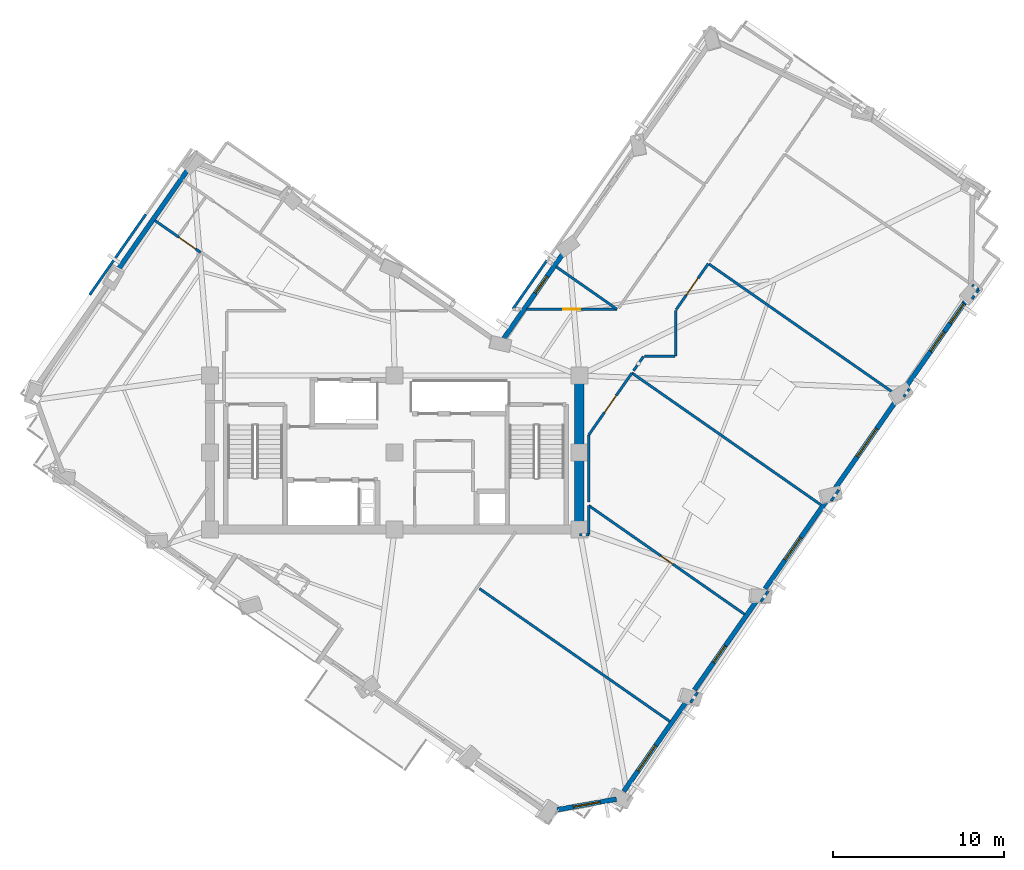
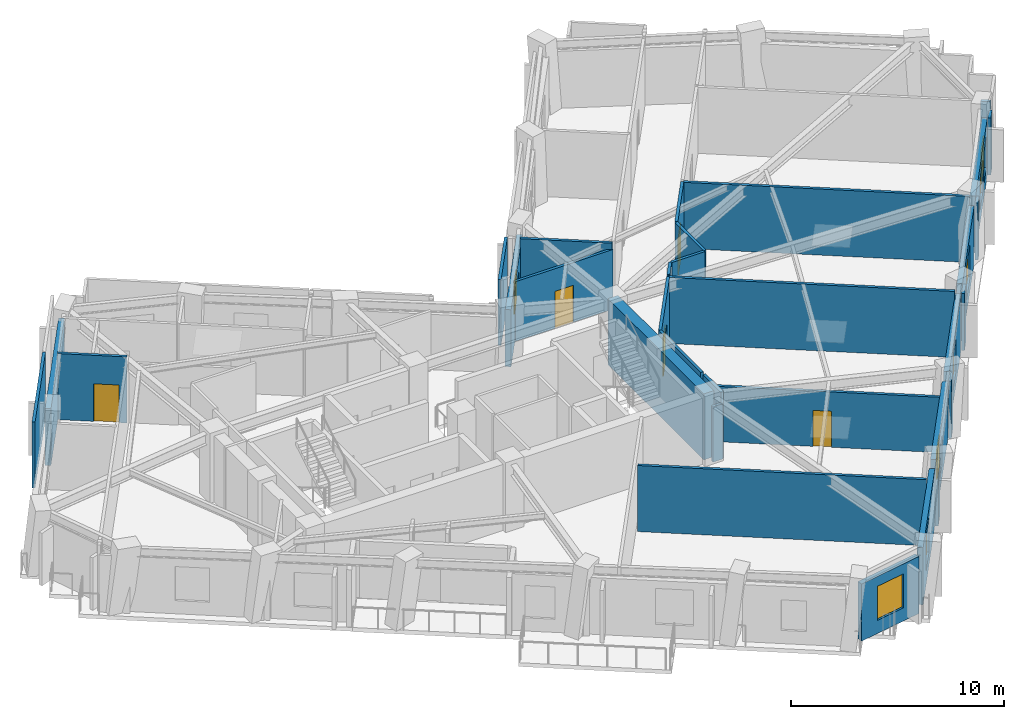
# One storey, part 5 of 12: 32 walls, 8 windows, 5 doors, 13 openings.
"""IFC4 building model written with IfcOpenShell, lengths in metres."""

from ifc_helpers import new_model, si_unit, direction, frame, frame_2d, origin, place, context, subcontext, project, spatial, rectangle, extrude, material, layer, layer_set, type_object, element, fill, save


model = new_model("IFC4")

# Units and contexts
model_context = context("Model", 3, precision=1e-05, world=origin(), true_north=direction((0.0, 1.0)))
body_context = subcontext(model_context, "Body", "Model", "MODEL_VIEW")
ifc_project = project(units=[si_unit("LENGTHUNIT", "METRE"), si_unit("AREAUNIT", "SQUARE_METRE"), si_unit("VOLUMEUNIT", "CUBIC_METRE"), si_unit("PLANEANGLEUNIT", "RADIAN"), si_unit("MASSUNIT", "GRAM", prefix="KILO")], contexts=[model_context])

# Site, building, storey
site_placement = place(None, origin())
site = spatial("IfcSite", under=ifc_project, at=site_placement, CompositionType="ELEMENT")
building_placement = place(site_placement, origin())
building = spatial("IfcBuilding", under=site, at=building_placement, Name="Gaonmaruhae Medical Tower", CompositionType="ELEMENT")
storey_placement = place(building_placement, frame((0.0, 0.0, 259.199951171875)))
storey = spatial("IfcBuildingStorey", under=building, at=storey_placement, Name="L62", CompositionType="ELEMENT", Elevation=259.199951171875)

# Wall
ifc_material_1 = material(Name="Concrete C50/60", Category="concrete")
ifc_layer_1 = layer(ifc_material_1, 0.550048828125)
ifc_layer_set_1 = layer_set([ifc_layer_1], Name="Concrete C50/60")
wall_type_1 = type_object("IfcWallType", Name="CW-550 Mid-High Core Shear Wall", PredefinedType="SHEAR", material=ifc_layer_set_1)
wall_1_placement = place(storey_placement, frame((35.60009765625, 7.800048828125, 0.0), z_axis=(0.0, 0.0, 1.0), x_axis=(0.0, 1.0, 0.0)))
element("IfcWall", 1, at=wall_1_placement, inside=storey, type_object=wall_type_1, Name="L62 Core Shear Wall CSW-E1", PredefinedType="SHEAR", context=body_context, shape_type="SweptSolid", body=[
    extrude(rectangle(XDim=9.0, YDim=0.550048828125, at=frame_2d((4.5, 0.0))), origin(), (0.0, 0.0, 1.0), 3.780029296875),
])

# Wall, opening, window
ifc_material_2 = material(Name="Precast concrete C45/55", Category="concrete")
ifc_layer_2 = layer(ifc_material_2, 0.280029296875)
ifc_layer_set_2 = layer_set([ifc_layer_2], Name="Precast concrete C45/55")
wall_type_2 = type_object("IfcWallType", Name="EW-280 Upper Precast Masonry-Frame Facade Wall", PredefinedType="SOLIDWALL", material=ifc_layer_set_2)
wall_2_placement = place(storey_placement, frame((41.90087890625, -2.189453125, 0.0), z_axis=(0.0, 0.0, 1.0), x_axis=(-0.572127414025, -0.820164753035, 0.0)))
wall_2 = element("IfcWall", 2, at=wall_2_placement, inside=storey, type_object=wall_type_2, Name="L62 Precast Masonry-Frame Wall S01-S02", PredefinedType="SOLIDWALL", context=body_context, shape_type="SweptSolid", body=[
    extrude(rectangle(XDim=6.484619140625, YDim=0.280029296875, at=frame_2d((3.2421875, 0.0))), origin(), (0.0, 0.0, 1.0), 3.26513671875),
])
opening_1_placement = place(wall_2_placement, frame((3.226318359375, 0.0, 0.75)))
opening_1 = element("IfcOpeningElement", 3, at=opening_1_placement, cuts=wall_2, Name="Opening WN-04", PredefinedType="OPENING", context=body_context, shape_type="SweptSolid", body=[
    extrude(rectangle(XDim=1.800048828125, YDim=2.050048828125, at=frame_2d((0.89990234375, 1.02490234375))), frame((0.0, 0.14990234375, 0.0), z_axis=(0.0, -1.0, 0.0), x_axis=(1.0, 0.0, 0.0)), (0.0, 0.0, 1.0), 0.300048828125),
])
ifc_material_3 = material(Name="Anodised aluminium and Low-E double glazing", Category="aluminium")
window_type_1 = type_object("IfcWindowType", Name="WN-04 Clinic & Consult Punched Window 1800x2050", PartitioningType="SINGLE_PANEL", PredefinedType="WINDOW", material=ifc_material_3)
window_1_placement = place(opening_1_placement, origin())
window_1 = element("IfcWindow", 4, at=window_1_placement, inside=storey, type_object=window_type_1, Name="L62 Modular Facade Window S01", OverallHeight=2.050048828125, OverallWidth=1.800048828125, PartitioningType="SINGLE_PANEL", PredefinedType="WINDOW", context=body_context, shape_type="SweptSolid", body=[
    extrude(rectangle(XDim=1.800048828125, YDim=2.050048828125, at=frame_2d((0.89990234375, 1.02490234375))), frame((0.0, 0.030029296875, 0.0), z_axis=(0.0, -1.0, 0.0), x_axis=(1.0, 0.0, 0.0)), (0.0, 0.0, 1.0), 0.06005859375),
])
fill(opening_1, window_1)

wall_3_placement = place(storey_placement, frame((46.01025390625, 3.700927734375, 0.0), z_axis=(0.0, 0.0, 1.0), x_axis=(-0.572138298293, -0.820157160321, 0.0)))
wall_3 = element("IfcWall", 5, at=wall_3_placement, inside=storey, type_object=wall_type_2, Name="L62 Precast Masonry-Frame Wall S02-S03", PredefinedType="SOLIDWALL", context=body_context, shape_type="SweptSolid", body=[
    extrude(rectangle(XDim=6.438720703125, YDim=0.280029296875, at=frame_2d((3.21923828125, 0.0))), origin(), (0.0, 0.0, 1.0), 3.26513671875),
])
opening_2_placement = place(wall_3_placement, frame((3.28271484375, 0.0, 0.75)))
opening_2 = element("IfcOpeningElement", 6, at=opening_2_placement, cuts=wall_3, Name="Opening WN-05", PredefinedType="OPENING", context=body_context, shape_type="SweptSolid", body=[
    extrude(rectangle(XDim=1.199951171875, YDim=1.75, at=frame_2d((0.60009765625, 0.875))), frame((0.0, 0.14990234375, 0.0), z_axis=(0.0, -1.0, 0.0), x_axis=(1.0, 0.0, 0.0)), (0.0, 0.0, 1.0), 0.300048828125),
])
window_type_2 = type_object("IfcWindowType", Name="WN-05 Support & Staff Punched Window 1200x1750", PartitioningType="SINGLE_PANEL", PredefinedType="WINDOW", material=ifc_material_3)
window_2_placement = place(opening_2_placement, origin())
window_2 = element("IfcWindow", 7, at=window_2_placement, inside=storey, type_object=window_type_2, Name="L62 Modular Facade Window S02", OverallHeight=1.75, OverallWidth=1.199951171875, PartitioningType="SINGLE_PANEL", PredefinedType="WINDOW", context=body_context, shape_type="SweptSolid", body=[
    extrude(rectangle(XDim=1.199951171875, YDim=1.75, at=frame_2d((0.60009765625, 0.875))), frame((0.0, 0.030029296875, 0.0), z_axis=(0.0, -1.0, 0.0), x_axis=(1.0, 0.0, 0.0)), (0.0, 0.0, 1.0), 0.06005859375),
])
fill(opening_2, window_2)

wall_4_placement = place(storey_placement, frame((50.125, 9.59912109375, 0.0), z_axis=(0.0, 0.0, 1.0), x_axis=(-0.572145868794, -0.820151879119, 0.0)))
wall_4 = element("IfcWall", 8, at=wall_4_placement, inside=storey, type_object=wall_type_2, Name="L62 Precast Masonry-Frame Wall S03-S04", PredefinedType="SOLIDWALL", context=body_context, shape_type="SweptSolid", body=[
    extrude(rectangle(XDim=6.41357421875, YDim=0.280029296875, at=frame_2d((3.206787109375, 0.0))), origin(), (0.0, 0.0, 1.0), 3.26513671875),
])
opening_3_placement = place(wall_4_placement, frame((2.770751953125, 0.0, 0.75)))
opening_3 = element("IfcOpeningElement", 9, at=opening_3_placement, cuts=wall_4, Name="Opening WN-01", PredefinedType="OPENING", context=body_context, shape_type="SweptSolid", body=[
    extrude(rectangle(XDim=1.60009765625, YDim=1.949951171875, at=frame_2d((0.800048828125, 0.97509765625))), frame((0.0, 0.14990234375, 0.0), z_axis=(0.0, -1.0, 0.0), x_axis=(1.0, 0.0, 0.0)), (0.0, 0.0, 1.0), 0.300048828125),
])
window_type_3 = type_object("IfcWindowType", Name="WN-01 Ward Punched Acoustic Window 1600x1950", PartitioningType="SINGLE_PANEL", PredefinedType="WINDOW", material=ifc_material_3)
window_3_placement = place(opening_3_placement, origin())
window_3 = element("IfcWindow", 10, at=window_3_placement, inside=storey, type_object=window_type_3, Name="L62 Modular Facade Window S03", OverallHeight=1.949951171875, OverallWidth=1.60009765625, PartitioningType="SINGLE_PANEL", PredefinedType="WINDOW", context=body_context, shape_type="SweptSolid", body=[
    extrude(rectangle(XDim=1.60009765625, YDim=1.949951171875, at=frame_2d((0.800048828125, 0.97509765625))), frame((0.0, 0.030029296875, 0.0), z_axis=(0.0, -1.0, 0.0), x_axis=(1.0, 0.0, 0.0)), (0.0, 0.0, 1.0), 0.06005859375),
])
fill(opening_3, window_3)

wall_5_placement = place(storey_placement, frame((54.244873046875, 15.5048828125, 0.0), z_axis=(0.0, 0.0, 1.0), x_axis=(-0.572154773517, -0.820145667026, 0.0)))
wall_5 = element("IfcWall", 11, at=wall_5_placement, inside=storey, type_object=wall_type_2, Name="L62 Precast Masonry-Frame Wall S04-S05", PredefinedType="SOLIDWALL", context=body_context, shape_type="SweptSolid", body=[
    extrude(rectangle(XDim=6.406982421875, YDim=0.280029296875, at=frame_2d((3.20361328125, 0.0))), origin(), (0.0, 0.0, 1.0), 3.26513671875),
])
opening_4_placement = place(wall_5_placement, frame((2.203857421875, 0.0, 0.75)))
opening_4 = element("IfcOpeningElement", 12, at=opening_4_placement, cuts=wall_5, Name="Opening WN-02", PredefinedType="OPENING", context=body_context, shape_type="SweptSolid", body=[
    extrude(rectangle(XDim=2.0, YDim=1.949951171875, at=frame_2d((1.0, 0.97509765625))), frame((0.0, 0.14990234375, 0.0), z_axis=(0.0, -1.0, 0.0), x_axis=(1.0, 0.0, 0.0)), (0.0, 0.0, 1.0), 0.300048828125),
])
window_type_4 = type_object("IfcWindowType", Name="WN-02 Double-Bed Ward Punched Window 2000x1950", PartitioningType="SINGLE_PANEL", PredefinedType="WINDOW", material=ifc_material_3)
window_4_placement = place(opening_4_placement, origin())
window_4 = element("IfcWindow", 13, at=window_4_placement, inside=storey, type_object=window_type_4, Name="L62 Modular Facade Window S04", OverallHeight=1.949951171875, OverallWidth=2.0, PartitioningType="SINGLE_PANEL", PredefinedType="WINDOW", context=body_context, shape_type="SweptSolid", body=[
    extrude(rectangle(XDim=2.0, YDim=1.949951171875, at=frame_2d((1.0, 0.97509765625))), frame((0.0, 0.030029296875, 0.0), z_axis=(0.0, -1.0, 0.0), x_axis=(1.0, 0.0, 0.0)), (0.0, 0.0, 1.0), 0.06005859375),
])
fill(opening_4, window_4)

# Wall, openings, windows
wall_6_placement = place(storey_placement, frame((58.369873046875, 21.418212890625, 0.0), z_axis=(0.0, 0.0, 1.0), x_axis=(-0.572149467016, -0.820149368953, 0.0)))
wall_6 = element("IfcWall", 14, at=wall_6_placement, inside=storey, type_object=wall_type_2, Name="L62 Precast Masonry-Frame Wall S05-S06", PredefinedType="SOLIDWALL", context=body_context, shape_type="SweptSolid", body=[
    extrude(rectangle(XDim=6.41845703125, YDim=0.280029296875, at=frame_2d((3.209228515625, 0.0))), origin(), (0.0, 0.0, 1.0), 3.26513671875),
])
opening_5_placement = place(wall_6_placement, frame((2.51220703125, 0.0, 0.75)))
opening_5 = element("IfcOpeningElement", 15, at=opening_5_placement, cuts=wall_6, Name="Opening WN-03", PredefinedType="OPENING", context=body_context, shape_type="SweptSolid", body=[
    extrude(rectangle(XDim=1.39990234375, YDim=1.85009765625, at=frame_2d((0.699951171875, 0.925048828125))), frame((0.0, 0.14990234375, 0.0), z_axis=(0.0, -1.0, 0.0), x_axis=(1.0, 0.0, 0.0)), (0.0, 0.0, 1.0), 0.300048828125),
])
opening_6_placement = place(wall_6_placement, frame((0.494384765625, 0.0, 0.75)))
opening_6 = element("IfcOpeningElement", 16, at=opening_6_placement, cuts=wall_6, Name="Opening WN-03", PredefinedType="OPENING", context=body_context, shape_type="SweptSolid", body=[
    extrude(rectangle(XDim=1.39990234375, YDim=1.85009765625, at=frame_2d((0.699951171875, 0.925048828125))), frame((0.0, 0.14990234375, 0.0), z_axis=(0.0, -1.0, 0.0), x_axis=(1.0, 0.0, 0.0)), (0.0, 0.0, 1.0), 0.300048828125),
])
window_type_5 = type_object("IfcWindowType", Name="WN-03 Isolation Ward Punched Window 1400x1850", PartitioningType="SINGLE_PANEL", PredefinedType="WINDOW", material=ifc_material_3)
window_5_placement = place(opening_5_placement, origin())
window_5 = element("IfcWindow", 17, at=window_5_placement, inside=storey, type_object=window_type_5, Name="L62 Modular Facade Window S05", OverallHeight=1.85009765625, OverallWidth=1.39990234375, PartitioningType="SINGLE_PANEL", PredefinedType="WINDOW", context=body_context, shape_type="SweptSolid", body=[
    extrude(rectangle(XDim=1.39990234375, YDim=1.85009765625, at=frame_2d((0.699951171875, 0.925048828125))), frame((0.0, 0.030029296875, 0.0), z_axis=(0.0, -1.0, 0.0), x_axis=(1.0, 0.0, 0.0)), (0.0, 0.0, 1.0), 0.06005859375),
])
fill(opening_5, window_5)
window_6_placement = place(opening_6_placement, origin())
window_6 = element("IfcWindow", 18, at=window_6_placement, inside=storey, type_object=window_type_5, Name="L62 Modular Facade Window S05B", OverallHeight=1.85009765625, OverallWidth=1.39990234375, PartitioningType="SINGLE_PANEL", PredefinedType="WINDOW", context=body_context, shape_type="SweptSolid", body=[
    extrude(rectangle(XDim=1.39990234375, YDim=1.85009765625, at=frame_2d((0.699951171875, 0.925048828125))), frame((0.0, 0.030029296875, 0.0), z_axis=(0.0, -1.0, 0.0), x_axis=(1.0, 0.0, 0.0)), (0.0, 0.0, 1.0), 0.06005859375),
])
fill(opening_6, window_6)

# Wall, opening, window
wall_7_placement = place(storey_placement, frame((31.191650390625, 18.98828125, 0.0), z_axis=(0.0, 0.0, 1.0), x_axis=(0.572160511302, 0.82014166417, 0.0)))
wall_7 = element("IfcWall", 19, at=wall_7_placement, inside=storey, type_object=wall_type_2, Name="L62 Precast Masonry-Frame Wall EN02-KN01", PredefinedType="SOLIDWALL", context=body_context, shape_type="SweptSolid", body=[
    extrude(rectangle(XDim=6.158203125, YDim=0.280029296875, at=frame_2d((3.0791015625, 0.0))), origin(), (0.0, 0.0, 1.0), 3.26513671875),
])
opening_7_placement = place(wall_7_placement, frame((3.20751953125, 0.0, 0.75)))
opening_7 = element("IfcOpeningElement", 20, at=opening_7_placement, cuts=wall_7, Name="Opening WN-05", PredefinedType="OPENING", context=body_context, shape_type="SweptSolid", body=[
    extrude(rectangle(XDim=1.199951171875, YDim=1.75, at=frame_2d((0.60009765625, 0.875))), frame((0.0, 0.14990234375, 0.0), z_axis=(0.0, -1.0, 0.0), x_axis=(1.0, 0.0, 0.0)), (0.0, 0.0, 1.0), 0.300048828125),
])
window_7_placement = place(opening_7_placement, origin())
window_7 = element("IfcWindow", 21, at=window_7_placement, inside=storey, type_object=window_type_2, Name="L62 Modular Facade Window EN02", OverallHeight=1.75, OverallWidth=1.199951171875, PartitioningType="SINGLE_PANEL", PredefinedType="WINDOW", context=body_context, shape_type="SweptSolid", body=[
    extrude(rectangle(XDim=1.199951171875, YDim=1.75, at=frame_2d((0.60009765625, 0.875))), frame((0.0, 0.030029296875, 0.0), z_axis=(0.0, -1.0, 0.0), x_axis=(1.0, 0.0, 0.0)), (0.0, 0.0, 1.0), 0.06005859375),
])
fill(opening_7, window_7)

# Wall
wall_8_placement = place(storey_placement, frame((8.472900390625, 22.77587890625, 0.0), z_axis=(0.0, 0.0, 1.0), x_axis=(0.572143582382, 0.820153474137, 0.0)))
element("IfcWall", 22, at=wall_8_placement, inside=storey, type_object=wall_type_2, Name="L62 Precast Masonry-Frame Wall N01-N02", PredefinedType="SOLIDWALL", context=body_context, shape_type="SweptSolid", body=[
    extrude(rectangle(XDim=7.43408203125, YDim=0.280029296875, at=frame_2d((3.717041015625, 0.0))), origin(), (0.0, 0.0, 1.0), 3.26513671875),
])

# Wall, opening, window
wall_9_placement = place(storey_placement, frame((37.76611328125, -7.963623046875, 0.0), z_axis=(0.0, 0.0, 1.0), x_axis=(-0.98450376651, -0.175363433266, 0.0)))
wall_9 = element("IfcWall", 23, at=wall_9_placement, inside=storey, type_object=wall_type_2, Name="L62 Precast Masonry-Frame Wall W06-S01", PredefinedType="SOLIDWALL", context=body_context, shape_type="SweptSolid", body=[
    extrude(rectangle(XDim=3.520751953125, YDim=0.280029296875, at=frame_2d((1.76025390625, 0.0))), origin(), (0.0, 0.0, 1.0), 3.26513671875),
])
opening_8_placement = place(wall_9_placement, frame((0.959716796875, 0.0, 0.75)))
opening_8 = element("IfcOpeningElement", 24, at=opening_8_placement, cuts=wall_9, Name="Opening WN-01", PredefinedType="OPENING", context=body_context, shape_type="SweptSolid", body=[
    extrude(rectangle(XDim=1.60009765625, YDim=1.949951171875, at=frame_2d((0.800048828125, 0.97509765625))), frame((0.0, 0.14990234375, 0.0), z_axis=(0.0, -1.0, 0.0), x_axis=(1.0, 0.0, 0.0)), (0.0, 0.0, 1.0), 0.300048828125),
])
window_8_placement = place(opening_8_placement, origin())
window_8 = element("IfcWindow", 25, at=window_8_placement, inside=storey, type_object=window_type_3, Name="L62 Modular Facade Window W06", OverallHeight=1.949951171875, OverallWidth=1.60009765625, PartitioningType="SINGLE_PANEL", PredefinedType="WINDOW", context=body_context, shape_type="SweptSolid", body=[
    extrude(rectangle(XDim=1.60009765625, YDim=1.949951171875, at=frame_2d((0.800048828125, 0.97509765625))), frame((0.0, 0.030029296875, 0.0), z_axis=(0.0, -1.0, 0.0), x_axis=(1.0, 0.0, 0.0)), (0.0, 0.0, 1.0), 0.06005859375),
])
fill(opening_8, window_8)

# Wall, opening, door
ifc_material_4 = material(Name="Gypsum board partition", Category="gypsum")
ifc_layer_3 = layer(ifc_material_4, 0.14990234375)
ifc_layer_set_3 = layer_set([ifc_layer_3], Name="Gypsum board partition")
wall_type_3 = type_object("IfcWallType", Name="PW-150 Rated Clinical Corridor Partition", PredefinedType="PARTITIONING", material=ifc_layer_set_3)
wall_10_placement = place(storey_placement, frame((36.14990234375, 9.199951171875, 0.0), z_axis=(0.0, 0.0, 1.0), x_axis=(0.820183982528, -0.572099846883, 0.0)))
wall_10 = element("IfcWall", 26, at=wall_10_placement, inside=storey, type_object=wall_type_3, Name="L62 Interior Partition L62-SUP02-7", PredefinedType="PARTITIONING", context=body_context, shape_type="SweptSolid", body=[
    extrude(rectangle(XDim=11.118408203125, YDim=0.14990234375, at=frame_2d((5.55908203125, 0.0))), origin(), (0.0, 0.0, 1.0), 3.1650390625),
])
opening_9_placement = place(wall_10_placement, frame((5.129150390625, 0.0, 0.0)))
opening_9 = element("IfcOpeningElement", 27, at=opening_9_placement, cuts=wall_10, Name="Opening AD-01", PredefinedType="OPENING", context=body_context, shape_type="SweptSolid", body=[
    extrude(rectangle(XDim=0.860107421875, YDim=2.06005859375, at=frame_2d((0.43017578125, 1.030029296875))), frame((0.0, 0.0849609375, 0.0), z_axis=(0.0, -1.0, 0.0), x_axis=(1.0, 0.0, 0.0)), (0.0, 0.0, 1.0), 0.169921875),
])
ifc_material_5 = material(Name="Powder-coated steel access door", Category="steel")
door_type_1 = type_object("IfcDoorType", Name="AD-01 Riser & Closet Access Fire Door 860x2060", OperationType="NOTDEFINED", PredefinedType="DOOR", material=ifc_material_5)
door_1_placement = place(opening_9_placement, origin())
door_1 = element("IfcDoor", 28, at=door_1_placement, inside=storey, type_object=door_type_1, Name="L62 Clinical Biomedical Charting Office Sliding Door", OperationType="SLIDING_TO_LEFT", OverallHeight=2.06005859375, OverallWidth=0.860107421875, PredefinedType="DOOR", context=body_context, shape_type="SweptSolid", body=[
    extrude(rectangle(XDim=0.860107421875, YDim=2.06005859375, at=frame_2d((0.43017578125, 1.030029296875))), frame((0.0, 0.02490234375, 0.0), z_axis=(0.0, -1.0, 0.0), x_axis=(1.0, 0.0, 0.0)), (0.0, 0.0, 1.0), 0.050048828125),
])
fill(opening_9, door_1)

# Walls
wall_11_placement = place(storey_placement, frame((42.514892578125, -1.7119140625, 0.0), z_axis=(0.0, 0.0, 1.0), x_axis=(-0.572027315542, -0.820234570275, 0.0)))
element("IfcWall", 29, at=wall_11_placement, inside=storey, type_object=wall_type_3, Name="L62 Interior Partition L62-SUP02-8", PredefinedType="PARTITIONING", context=body_context, shape_type="SweptSolid", body=[
    extrude(rectangle(XDim=0.74267578125, YDim=0.14990234375, at=frame_2d((0.371337890625, 0.0))), origin(), (0.0, 0.0, 1.0), 3.26513671875),
])
wall_12_placement = place(storey_placement, frame((40.89794921875, -3.426025390625, 0.0), z_axis=(0.0, 0.0, 1.0), x_axis=(-0.820175590709, 0.572111877525, 0.0)))
element("IfcWall", 30, at=wall_12_placement, inside=storey, type_object=wall_type_3, Name="L62 Interior Partition L62-SUP02-9", PredefinedType="PARTITIONING", context=body_context, shape_type="SweptSolid", body=[
    extrude(rectangle(XDim=13.584716796875, YDim=0.14990234375, at=frame_2d((6.79248046875, 0.0))), origin(), (0.0, 0.0, 1.0), 3.780029296875),
])
wall_13_placement = place(storey_placement, frame((35.60009765625, 7.5, 0.0), z_axis=(0.0, 0.0, 1.0), x_axis=(1.0, 0.0, 0.0)))
element("IfcWall", 31, at=wall_13_placement, inside=storey, type_object=wall_type_3, Name="L62 Interior Partition L62-SUP02-11", PredefinedType="PARTITIONING", context=body_context, shape_type="SweptSolid", body=[
    extrude(rectangle(XDim=0.5498046875, YDim=0.14990234375, at=frame_2d((0.27490234375, 0.0))), origin(), (0.0, 0.0, 1.0), 3.1650390625),
])
wall_14_placement = place(storey_placement, frame((36.14990234375, 7.5, 0.0), z_axis=(0.0, 0.0, 1.0), x_axis=(0.0, 1.0, 0.0)))
element("IfcWall", 32, at=wall_14_placement, inside=storey, type_object=wall_type_3, Name="L62 Interior Partition L62-SUP02-12", PredefinedType="PARTITIONING", context=body_context, shape_type="SweptSolid", body=[
    extrude(rectangle(XDim=1.699951171875, YDim=0.14990234375, at=frame_2d((0.85009765625, 0.0))), origin(), (0.0, 0.0, 1.0), 3.780029296875),
])
wall_15_placement = place(storey_placement, frame((38.672119140625, 16.951904296875, 0.0), z_axis=(0.0, 0.0, 1.0), x_axis=(0.820114703908, -0.57219915452, 0.0)))
element("IfcWall", 33, at=wall_15_placement, inside=storey, type_object=wall_type_3, Name="L62 Interior Partition L62-SUP03-13", PredefinedType="PARTITIONING", context=body_context, shape_type="SweptSolid", body=[
    extrude(rectangle(XDim=13.484619140625, YDim=0.14990234375, at=frame_2d((6.7421875, 0.0))), origin(), (0.0, 0.0, 1.0), 3.780029296875),
])
wall_16_placement = place(storey_placement, frame((46.64404296875, 4.2080078125, 0.0), z_axis=(0.0, 0.0, 1.0), x_axis=(-0.571588007993, -0.820540766274, 0.0)))
element("IfcWall", 34, at=wall_16_placement, inside=storey, type_object=wall_type_3, Name="L62 Interior Partition L62-SUP03-14", PredefinedType="PARTITIONING", context=body_context, shape_type="SweptSolid", body=[
    extrude(rectangle(XDim=0.778564453125, YDim=0.14990234375, at=frame_2d((0.38916015625, 0.0))), origin(), (0.0, 0.0, 1.0), 3.26513671875),
])
wall_17_placement = place(storey_placement, frame((36.14990234375, 9.39599609375, 0.0), z_axis=(0.0, 0.0, 1.0), x_axis=(0.0, 1.0, 0.0)))
element("IfcWall", 35, at=wall_17_placement, inside=storey, type_object=wall_type_3, Name="L62 Interior Partition L62-SUP03-15", PredefinedType="PARTITIONING", context=body_context, shape_type="SweptSolid", body=[
    extrude(rectangle(XDim=3.94091796875, YDim=0.14990234375, at=frame_2d((1.970458984375, 0.0))), origin(), (0.0, 0.0, 1.0), 3.780029296875),
])

# Wall, opening, door
wall_18_placement = place(storey_placement, frame((36.14990234375, 13.3369140625, 0.0), z_axis=(0.0, 0.0, 1.0), x_axis=(0.572201522226, 0.82011305194, 0.0)))
wall_18 = element("IfcWall", 36, at=wall_18_placement, inside=storey, type_object=wall_type_3, Name="L62 Interior Partition L62-SUP03-16", PredefinedType="PARTITIONING", context=body_context, shape_type="SweptSolid", body=[
    extrude(rectangle(XDim=4.407958984375, YDim=0.14990234375, at=frame_2d((2.2041015625, 0.0))), origin(), (0.0, 0.0, 1.0), 3.780029296875),
])
opening_10_placement = place(wall_18_placement, frame((1.60400390625, 0.0, 0.0)))
opening_10 = element("IfcOpeningElement", 37, at=opening_10_placement, cuts=wall_18, Name="Opening CD-02", PredefinedType="OPENING", context=body_context, shape_type="SweptSolid", body=[
    extrude(rectangle(XDim=1.199951171875, YDim=2.14990234375, at=frame_2d((0.60009765625, 1.074951171875))), frame((0.0, 0.0849609375, 0.0), z_axis=(0.0, -1.0, 0.0), x_axis=(1.0, 0.0, 0.0)), (0.0, 0.0, 1.0), 0.169921875),
])
ifc_material_6 = material(Name="Antimicrobial laminate timber fire door", Category="wood")
door_type_2 = type_object("IfcDoorType", Name="CD-02 Clinical Treatment & Procedure Door 1200x2150", OperationType="NOTDEFINED", PredefinedType="DOOR", material=ifc_material_6)
door_2_placement = place(opening_10_placement, origin())
door_2 = element("IfcDoor", 38, at=door_2_placement, inside=storey, type_object=door_type_2, Name="L62 Clinical Biomedical Charting Office Door", OperationType="SINGLE_SWING_LEFT", OverallHeight=2.14990234375, OverallWidth=1.199951171875, PredefinedType="DOOR", context=body_context, shape_type="SweptSolid", body=[
    extrude(rectangle(XDim=1.199951171875, YDim=2.14990234375, at=frame_2d((0.60009765625, 1.074951171875))), frame((0.0, 0.02490234375, 0.0), z_axis=(0.0, -1.0, 0.0), x_axis=(1.0, 0.0, 0.0)), (0.0, 0.0, 1.0), 0.050048828125),
])
fill(opening_10, door_2)

# Wall
wall_19_placement = place(storey_placement, frame((41.22998046875, 17.949951171875, 0.0), z_axis=(0.0, 0.0, 1.0), x_axis=(0.0, 1.0, 0.0)))
element("IfcWall", 39, at=wall_19_placement, inside=storey, type_object=wall_type_3, Name="L62 Interior Partition L62-SUP04-17", PredefinedType="PARTITIONING", context=body_context, shape_type="SweptSolid", body=[
    extrude(rectangle(XDim=2.6689453125, YDim=0.14990234375, at=frame_2d((1.33447265625, 0.0))), origin(), (0.0, 0.0, 1.0), 3.780029296875),
])

# Wall, opening, door
wall_20_placement = place(storey_placement, frame((41.259033203125, 20.659912109375, 0.0), z_axis=(0.0, 0.0, 1.0), x_axis=(0.572137337348, 0.820157830672, 0.0)))
wall_20 = element("IfcWall", 40, at=wall_20_placement, inside=storey, type_object=wall_type_3, Name="L62 Interior Partition L62-SUP04-18", PredefinedType="PARTITIONING", context=body_context, shape_type="SweptSolid", body=[
    extrude(rectangle(XDim=3.27880859375, YDim=0.14990234375, at=frame_2d((1.639404296875, 0.0))), origin(), (0.0, 0.0, 1.0), 3.780029296875),
])
opening_11_placement = place(wall_20_placement, frame((1.039306640625, 0.0, 0.0)))
opening_11 = element("IfcOpeningElement", 41, at=opening_11_placement, cuts=wall_20, Name="Opening CD-02", PredefinedType="OPENING", context=body_context, shape_type="SweptSolid", body=[
    extrude(rectangle(XDim=1.199951171875, YDim=2.14990234375, at=frame_2d((0.60009765625, 1.074951171875))), frame((0.0, 0.0849609375, 0.0), z_axis=(0.0, -1.0, 0.0), x_axis=(1.0, 0.0, 0.0)), (0.0, 0.0, 1.0), 0.169921875),
])
door_3_placement = place(opening_11_placement, origin())
door_3 = element("IfcDoor", 42, at=door_3_placement, inside=storey, type_object=door_type_2, Name="L62 Clinical Biomedical Charting Office Door", OperationType="SINGLE_SWING_LEFT", OverallHeight=2.14990234375, OverallWidth=1.199951171875, PredefinedType="DOOR", context=body_context, shape_type="SweptSolid", body=[
    extrude(rectangle(XDim=1.199951171875, YDim=2.14990234375, at=frame_2d((0.60009765625, 1.074951171875))), frame((0.0, 0.02490234375, 0.0), z_axis=(0.0, -1.0, 0.0), x_axis=(1.0, 0.0, 0.0)), (0.0, 0.0, 1.0), 0.050048828125),
])
fill(opening_11, door_3)

# Walls
wall_21_placement = place(storey_placement, frame((43.176025390625, 23.320068359375, 0.0), z_axis=(0.0, 0.0, 1.0), x_axis=(0.820147534675, -0.572152096358, 0.0)))
element("IfcWall", 43, at=wall_21_placement, inside=storey, type_object=wall_type_3, Name="L62 Interior Partition L62-SUP04-19", PredefinedType="PARTITIONING", context=body_context, shape_type="SweptSolid", body=[
    extrude(rectangle(XDim=13.46337890625, YDim=0.14990234375, at=frame_2d((6.731689453125, 0.0))), origin(), (0.0, 0.0, 1.0), 3.780029296875),
])
wall_22_placement = place(storey_placement, frame((50.76806640625, 10.118896484375, 0.0), z_axis=(0.0, 0.0, 1.0), x_axis=(-0.572181596024, -0.820126954301, 0.0)))
element("IfcWall", 44, at=wall_22_placement, inside=storey, type_object=wall_type_3, Name="L62 Interior Partition L62-SUP04-20", PredefinedType="PARTITIONING", context=body_context, shape_type="SweptSolid", body=[
    extrude(rectangle(XDim=0.793701171875, YDim=0.14990234375, at=frame_2d((0.39697265625, 0.0))), origin(), (0.0, 0.0, 1.0), 3.26513671875),
])
wall_23_placement = place(storey_placement, frame((38.762939453125, 17.0830078125, 0.0), z_axis=(0.0, 0.0, 1.0), x_axis=(0.572241467614, 0.820085180175, 0.0)))
element("IfcWall", 45, at=wall_23_placement, inside=storey, type_object=wall_type_3, Name="L62 Interior Partition L62-SUP04-21", PredefinedType="PARTITIONING", context=body_context, shape_type="SweptSolid", body=[
    extrude(rectangle(XDim=1.0205078125, YDim=0.14990234375, at=frame_2d((0.51025390625, 0.0))), origin(), (0.0, 0.0, 1.0), 3.780029296875),
])
wall_24_placement = place(storey_placement, frame((39.39697265625, 17.919921875, 0.0), z_axis=(0.0, 0.0, 1.0), x_axis=(1.0, 0.0, 0.0)))
element("IfcWall", 46, at=wall_24_placement, inside=storey, type_object=wall_type_3, Name="L62 Interior Partition L62-SUP04-22", PredefinedType="PARTITIONING", context=body_context, shape_type="SweptSolid", body=[
    extrude(rectangle(XDim=1.79296875, YDim=0.14990234375, at=frame_2d((0.896484375, 0.0))), origin(), (0.0, 0.0, 1.0), 3.780029296875),
])
wall_25_placement = place(storey_placement, frame((58.56396484375, 22.094970703125, 0.0), z_axis=(0.0, 0.0, 1.0), x_axis=(0.820481466705, -0.571673125828, 0.0)))
element("IfcWall", 47, at=wall_25_placement, inside=storey, type_object=wall_type_3, Name="L62 Interior Partition L62-SUP05-25", PredefinedType="PARTITIONING", context=body_context, shape_type="SweptSolid", body=[
    extrude(rectangle(XDim=0.458251953125, YDim=0.14990234375, at=frame_2d((0.22900390625, 0.0))), origin(), (0.0, 0.0, 1.0), 3.780029296875),
])
wall_26_placement = place(storey_placement, frame((58.93994140625, 21.8330078125, 0.0), z_axis=(0.0, 0.0, 1.0), x_axis=(-0.571321988873, -0.820726010938, 0.0)))
element("IfcWall", 48, at=wall_26_placement, inside=storey, type_object=wall_type_3, Name="L62 Interior Partition L62-SUP05-26", PredefinedType="PARTITIONING", context=body_context, shape_type="SweptSolid", body=[
    extrude(rectangle(XDim=0.666748046875, YDim=0.14990234375, at=frame_2d((0.33349609375, 0.0))), origin(), (0.0, 0.0, 1.0), 3.26513671875),
])
wall_27_placement = place(storey_placement, frame((54.886962890625, 16.02197265625, 0.0), z_axis=(0.0, 0.0, 1.0), x_axis=(-0.572635559693, -0.819810048593, 0.0)))
element("IfcWall", 49, at=wall_27_placement, inside=storey, type_object=wall_type_3, Name="L62 Interior Partition L62-SUP05-27", PredefinedType="PARTITIONING", context=body_context, shape_type="SweptSolid", body=[
    extrude(rectangle(XDim=0.55517578125, YDim=0.14990234375, at=frame_2d((0.277587890625, 0.0))), origin(), (0.0, 0.0, 1.0), 3.26513671875),
])
wall_28_placement = place(storey_placement, frame((34.242919921875, 23.162109375, 0.0), z_axis=(0.0, 0.0, 1.0), x_axis=(0.820077197348, -0.572252907717, 0.0)))
element("IfcWall", 50, at=wall_28_placement, inside=storey, type_object=wall_type_3, Name="L62 Interior Partition L62-IE01-55", PredefinedType="PARTITIONING", context=body_context, shape_type="SweptSolid", body=[
    extrude(rectangle(XDim=4.337646484375, YDim=0.14990234375, at=frame_2d((2.1689453125, 0.0))), origin(), (0.0, 0.0, 1.0), 3.780029296875),
])

# Wall, opening, door
wall_29_placement = place(storey_placement, frame((37.800048828125, 20.679931640625, 0.0), z_axis=(0.0, 0.0, 1.0), x_axis=(-1.0, 0.0, 0.0)))
wall_29 = element("IfcWall", 51, at=wall_29_placement, inside=storey, type_object=wall_type_3, Name="L62 Interior Partition L62-IE01-56", PredefinedType="PARTITIONING", context=body_context, shape_type="SweptSolid", body=[
    extrude(rectangle(XDim=5.2880859375, YDim=0.14990234375, at=frame_2d((2.64404296875, 0.0))), origin(), (0.0, 0.0, 1.0), 3.4150390625),
])
opening_12_placement = place(wall_29_placement, frame((2.14404296875, 0.0, 0.0)))
opening_12 = element("IfcOpeningElement", 52, at=opening_12_placement, cuts=wall_29, Name="Opening CD-01", PredefinedType="OPENING", context=body_context, shape_type="SweptSolid", body=[
    extrude(rectangle(XDim=1.0, YDim=2.1201171875, at=frame_2d((0.5, 1.06005859375))), frame((0.0, 0.0849609375, 0.0), z_axis=(0.0, -1.0, 0.0), x_axis=(1.0, 0.0, 0.0)), (0.0, 0.0, 1.0), 0.169921875),
])
door_type_3 = type_object("IfcDoorType", Name="CD-01 Consultation & Physician Office Door 1000x2120", OperationType="NOTDEFINED", PredefinedType="DOOR", material=ifc_material_6)
door_4_placement = place(opening_12_placement, origin())
door_4 = element("IfcDoor", 53, at=door_4_placement, inside=storey, type_object=door_type_3, Name="L62 Central Clinical Nurse Station Door", OperationType="SINGLE_SWING_RIGHT", OverallHeight=2.1201171875, OverallWidth=1.0, PredefinedType="DOOR", context=body_context, shape_type="SweptSolid", body=[
    extrude(rectangle(XDim=1.0, YDim=2.1201171875, at=frame_2d((0.5, 1.06005859375))), frame((0.0, 0.02490234375, 0.0), z_axis=(0.0, -1.0, 0.0), x_axis=(1.0, 0.0, 0.0)), (0.0, 0.0, 1.0), 0.050048828125),
])
fill(opening_12, door_4)

# Wall
wall_30_placement = place(storey_placement, frame((31.700927734375, 20.679931640625, 0.0), z_axis=(0.0, 0.0, 1.0), x_axis=(0.572236307158, 0.820088781029, 0.0)))
element("IfcWall", 54, at=wall_30_placement, inside=storey, type_object=wall_type_3, Name="L62 Interior Partition L62-IE01-58", PredefinedType="PARTITIONING", context=body_context, shape_type="SweptSolid", body=[
    extrude(rectangle(XDim=3.489990234375, YDim=0.14990234375, at=frame_2d((1.7451171875, 0.0))), origin(), (0.0, 0.0, 1.0), 3.780029296875),
])

# Wall, opening, door
wall_31_placement = place(storey_placement, frame((10.77392578125, 25.873046875, 0.0), z_axis=(0.0, 0.0, 1.0), x_axis=(0.820056757322, -0.572282198544, 0.0)))
wall_31 = element("IfcWall", 55, at=wall_31_placement, inside=storey, type_object=wall_type_3, Name="L62 Interior Partition L62-RM02-84", PredefinedType="PARTITIONING", context=body_context, shape_type="SweptSolid", body=[
    extrude(rectangle(XDim=3.264404296875, YDim=0.14990234375, at=frame_2d((1.63232421875, 0.0))), origin(), (0.0, 0.0, 1.0), 3.780029296875),
])
opening_13_placement = place(wall_31_placement, frame((1.708984375, 0.0, 0.0)))
opening_13 = element("IfcOpeningElement", 56, at=opening_13_placement, cuts=wall_31, Name="Opening CD-02", PredefinedType="OPENING", context=body_context, shape_type="SweptSolid", body=[
    extrude(rectangle(XDim=1.199951171875, YDim=2.14990234375, at=frame_2d((0.60009765625, 1.074951171875))), frame((0.0, 0.0849609375, 0.0), z_axis=(0.0, -1.0, 0.0), x_axis=(1.0, 0.0, 0.0)), (0.0, 0.0, 1.0), 0.169921875),
])
door_5_placement = place(opening_13_placement, origin())
door_5 = element("IfcDoor", 57, at=door_5_placement, inside=storey, type_object=door_type_2, Name="L62 Care Team Clinical Charting Office Door", OperationType="SINGLE_SWING_LEFT", OverallHeight=2.14990234375, OverallWidth=1.199951171875, PredefinedType="DOOR", context=body_context, shape_type="SweptSolid", body=[
    extrude(rectangle(XDim=1.199951171875, YDim=2.14990234375, at=frame_2d((0.60009765625, 1.074951171875))), frame((0.0, 0.02490234375, 0.0), z_axis=(0.0, -1.0, 0.0), x_axis=(1.0, 0.0, 0.0)), (0.0, 0.0, 1.0), 0.050048828125),
])
fill(opening_13, door_5)

# Wall
wall_32_placement = place(storey_placement, frame((6.968994140625, 21.529052734375, 0.0), z_axis=(0.0, 0.0, 1.0), x_axis=(0.572176938358, 0.820130203816, 0.0)))
element("IfcWall", 58, at=wall_32_placement, inside=storey, type_object=wall_type_3, Name="L62 Interior Partition L62-RM02-86", PredefinedType="PARTITIONING", context=body_context, shape_type="SweptSolid", body=[
    extrude(rectangle(XDim=5.7392578125, YDim=0.14990234375, at=frame_2d((2.86962890625, 0.0))), origin(), (0.0, 0.0, 1.0), 3.780029296875),
])

save(model, "model.ifc")
